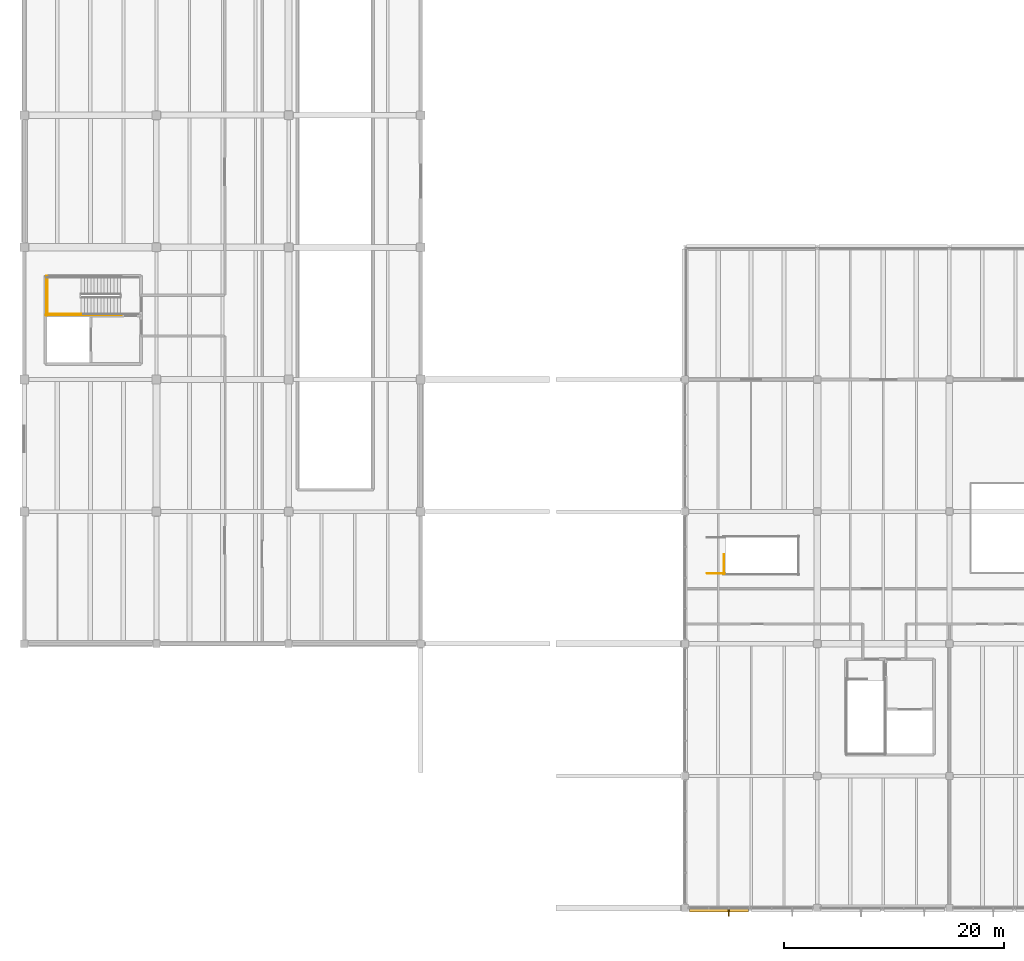
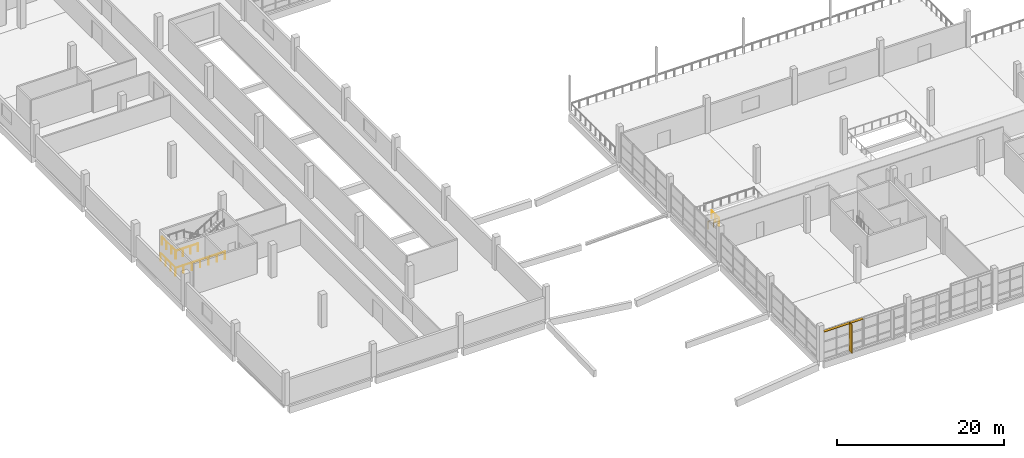
# One storey, part 90 of 112: 6 railings, 2 shading devices.
"""IFC4 building model written with IfcOpenShell, lengths in metres."""

from ifc_helpers import new_model, si_unit, direction, frame, origin, origin_2d, place, context, subcontext, project, spatial, rectangle, circle, extrude, material, type_object, element, save


model = new_model("IFC4")

# Units and contexts
model_context = context("Model", 3, precision=1e-05, world=origin(), true_north=direction((0.0, 1.0)))
body_context = subcontext(model_context, "Body", "Model", "MODEL_VIEW")
ifc_project = project(units=[si_unit("LENGTHUNIT", "METRE"), si_unit("AREAUNIT", "SQUARE_METRE"), si_unit("VOLUMEUNIT", "CUBIC_METRE"), si_unit("PLANEANGLEUNIT", "RADIAN"), si_unit("MASSUNIT", "GRAM", prefix="KILO")], contexts=[model_context])

# Site, building, storey
site_placement = place(None, origin())
site = spatial("IfcSite", under=ifc_project, at=site_placement, CompositionType="ELEMENT")
building_placement = place(site_placement, origin())
building = spatial("IfcBuilding", under=site, at=building_placement, Name="Kamomehara Wholesale Market", CompositionType="ELEMENT")
storey_placement = place(building_placement, frame((0.0, 0.0, 6.60009765625)))
storey = spatial("IfcBuildingStorey", under=building, at=storey_placement, Name="L01", CompositionType="ELEMENT", Elevation=6.60009765625)

# Railings
ifc_material_1 = material(Name="Steel SN400B", Category="steel")
railing_type = type_object("IfcRailingType", Name="RAL-INT-1100", PredefinedType="BALUSTRADE", material=ifc_material_1)
railing_1_placement = place(storey_placement, frame((5.14990234375, 65.949951171875, 2.39990234375)))
element("IfcRailing", 1, at=railing_1_placement, inside=storey, type_object=railing_type, Name="L01 ST-03 stair guard 4", PredefinedType="BALUSTRADE", context=body_context, shape_type="SweptSolid", body=[
    extrude(circle(Radius=0.02392578125, at=origin_2d()), frame((0.0, 0.0, 1.09619140625), z_axis=(-1.0, 0.0, 0.0), x_axis=(0.0, -1.0, 0.0)), (0.0, 0.0, 1.0), 3.099853515625),
    extrude(circle(Radius=0.02099609375, at=origin_2d()), origin(), (0.0, 0.0, 1.0), 1.072021484375),
    extrude(circle(Radius=0.02099609375, at=origin_2d()), frame((-1.033203125, 0.0, 0.0)), (0.0, 0.0, 1.0), 1.072021484375),
    extrude(circle(Radius=0.02099609375, at=origin_2d()), frame((-2.066650390625, 0.0, 0.0)), (0.0, 0.0, 1.0), 1.072021484375),
    extrude(circle(Radius=0.02099609375, at=origin_2d()), frame((-3.099853515625, 0.0, 0.0)), (0.0, 0.0, 1.0), 1.072021484375),
])
railing_2_placement = place(storey_placement, frame((2.10009765625, 69.300048828125, 2.39990234375)))
element("IfcRailing", 2, at=railing_2_placement, inside=storey, type_object=railing_type, Name="L01 ST-03 stair guard 5", PredefinedType="BALUSTRADE", context=body_context, shape_type="SweptSolid", body=[
    extrude(circle(Radius=0.02392578125, at=origin_2d()), frame((0.0, 0.0, 1.09619140625), z_axis=(0.0, -1.0, 0.0), x_axis=(1.0, 0.0, 0.0)), (0.0, 0.0, 1.0), 3.400146484375),
    extrude(circle(Radius=0.02099609375, at=origin_2d()), origin(), (0.0, 0.0, 1.0), 1.072021484375),
    extrude(circle(Radius=0.02099609375, at=origin_2d()), frame((0.0, -1.13330078125, 0.0)), (0.0, 0.0, 1.0), 1.072021484375),
    extrude(circle(Radius=0.02099609375, at=origin_2d()), frame((0.0, -2.266845703125, 0.0)), (0.0, 0.0, 1.0), 1.072021484375),
    extrude(circle(Radius=0.02099609375, at=origin_2d()), frame((0.0, -3.400146484375, 0.0)), (0.0, 0.0, 1.0), 1.072021484375),
])
railing_3_placement = place(storey_placement, frame((8.85009765625, 65.85009765625, 0.0)))
element("IfcRailing", 3, at=railing_3_placement, inside=storey, type_object=railing_type, Name="L01 ST-03 stair guard 11", PredefinedType="BALUSTRADE", context=body_context, shape_type="SweptSolid", body=[
    extrude(circle(Radius=0.02392578125, at=origin_2d()), frame((0.0, 0.0, 1.09619140625), z_axis=(-1.0, 0.0, 0.0), x_axis=(0.0, -1.0, 0.0)), (0.0, 0.0, 1.0), 6.900146484375),
    extrude(circle(Radius=0.02099609375, at=origin_2d()), origin(), (0.0, 0.0, 1.0), 1.072021484375),
    extrude(circle(Radius=0.02099609375, at=origin_2d()), frame((-1.14990234375, 0.0, 0.0)), (0.0, 0.0, 1.0), 1.072021484375),
    extrude(circle(Radius=0.02099609375, at=origin_2d()), frame((-2.300048828125, 0.0, 0.0)), (0.0, 0.0, 1.0), 1.072021484375),
    extrude(circle(Radius=0.02099609375, at=origin_2d()), frame((-3.4501953125, 0.0, 0.0)), (0.0, 0.0, 1.0), 1.072021484375),
    extrude(circle(Radius=0.02099609375, at=origin_2d()), frame((-4.60009765625, 0.0, 0.0)), (0.0, 0.0, 1.0), 1.072021484375),
    extrude(circle(Radius=0.02099609375, at=origin_2d()), frame((-5.75, 0.0, 0.0)), (0.0, 0.0, 1.0), 1.072021484375),
    extrude(circle(Radius=0.02099609375, at=origin_2d()), frame((-6.900146484375, 0.0, 0.0)), (0.0, 0.0, 1.0), 1.072021484375),
])
railing_4_placement = place(storey_placement, frame((2.0, 69.39990234375, 0.0)))
element("IfcRailing", 4, at=railing_4_placement, inside=storey, type_object=railing_type, Name="L01 ST-03 stair guard 12", PredefinedType="BALUSTRADE", context=body_context, shape_type="SweptSolid", body=[
    extrude(circle(Radius=0.02392578125, at=origin_2d()), frame((0.0, 0.0, 1.09619140625), z_axis=(0.0, -1.0, 0.0), x_axis=(1.0, 0.0, 0.0)), (0.0, 0.0, 1.0), 3.599853515625),
    extrude(circle(Radius=0.02099609375, at=origin_2d()), origin(), (0.0, 0.0, 1.0), 1.072021484375),
    extrude(circle(Radius=0.02099609375, at=origin_2d()), frame((0.0, -1.199951171875, 0.0)), (0.0, 0.0, 1.0), 1.072021484375),
    extrude(circle(Radius=0.02099609375, at=origin_2d()), frame((0.0, -2.39990234375, 0.0)), (0.0, 0.0, 1.0), 1.072021484375),
    extrude(circle(Radius=0.02099609375, at=origin_2d()), frame((0.0, -3.599853515625, 0.0)), (0.0, 0.0, 1.0), 1.072021484375),
])
railing_5_placement = place(storey_placement, frame((63.52490234375, 42.35009765625, 0.0)))
element("IfcRailing", 5, at=railing_5_placement, inside=storey, type_object=railing_type, Name="L01 ST-16 top well guard 1", PredefinedType="BALUSTRADE", context=body_context, shape_type="SweptSolid", body=[
    extrude(circle(Radius=0.02392578125, at=origin_2d()), frame((0.0, 0.0, 1.09619140625), z_axis=(0.0, 1.0, 0.0), x_axis=(-1.0, 0.0, 0.0)), (0.0, 0.0, 1.0), 1.77490234375),
    extrude(circle(Radius=0.02099609375, at=origin_2d()), origin(), (0.0, 0.0, 1.0), 1.072021484375),
    extrude(circle(Radius=0.02099609375, at=origin_2d()), frame((0.0, 0.887451171875, 0.0)), (0.0, 0.0, 1.0), 1.072021484375),
    extrude(circle(Radius=0.02099609375, at=origin_2d()), frame((0.0, 1.77490234375, 0.0)), (0.0, 0.0, 1.0), 1.072021484375),
])
railing_6_placement = place(storey_placement, frame((62.0, 42.39990234375, 0.0)))
element("IfcRailing", 6, at=railing_6_placement, inside=storey, type_object=railing_type, Name="L01 ST-16 top well guard 5", PredefinedType="BALUSTRADE", context=body_context, shape_type="SweptSolid", body=[
    extrude(circle(Radius=0.02392578125, at=origin_2d()), frame((0.0, 0.0, 1.09619140625), z_axis=(1.0, 0.0, 0.0), x_axis=(0.0, 1.0, 0.0)), (0.0, 0.0, 1.0), 1.574951171875),
    extrude(circle(Radius=0.02099609375, at=origin_2d()), origin(), (0.0, 0.0, 1.0), 1.072021484375),
    extrude(circle(Radius=0.02099609375, at=origin_2d()), frame((0.78759765625, 0.0, 0.0)), (0.0, 0.0, 1.0), 1.072021484375),
    extrude(circle(Radius=0.02099609375, at=origin_2d()), frame((1.574951171875, 0.0, 0.0)), (0.0, 0.0, 1.0), 1.072021484375),
])

# Shading devices
ifc_material_2 = material(Name="Anodised aluminium 6063-T5 Spectrum Orange", Category="aluminium")
shading_device_type_1 = type_object("IfcShadingDeviceType", Name="SHD-FIN-02", PredefinedType="NOTDEFINED", material=ifc_material_2)
shading_device_1_placement = place(storey_placement, frame((63.97802734375, 11.635009765625, 0.0), z_axis=(0.0, 0.0, 1.0), x_axis=(1.0, 0.0, 0.0)))
element("IfcShadingDevice", 7, at=shading_device_1_placement, inside=storey, type_object=shading_device_type_1, Name="Coastal sun-breaker fin V4 2", PredefinedType="NOTDEFINED", context=body_context, shape_type="SweptSolid", body=[
    extrude(rectangle(XDim=0.097900390625, YDim=0.77001953125, at=origin_2d()), origin(), (0.0, 0.0, 1.0), 4.199951171875),
])
ifc_material_3 = material(Name="Anodised aluminium 6063-T5", Category="aluminium")
shading_device_type_2 = type_object("IfcShadingDeviceType", Name="SHD-LVR-01", PredefinedType="JALOUSIE", material=ifc_material_3)
shading_device_2_placement = place(storey_placement, frame((63.06689453125, 11.840087890625, 4.107421875), z_axis=(0.0, 0.0, 1.0), x_axis=(1.0, 0.0, 0.0)))
element("IfcShadingDevice", 8, at=shading_device_2_placement, inside=storey, type_object=shading_device_type_2, Name="Coastal storm louvre V4 2", PredefinedType="JALOUSIE", context=body_context, shape_type="SweptSolid", body=[
    extrude(rectangle(XDim=5.364990234375, YDim=0.35009765625, at=origin_2d()), origin(), (0.0, 0.0, 1.0), 0.06494140625),
])

save(model, "model.ifc")
